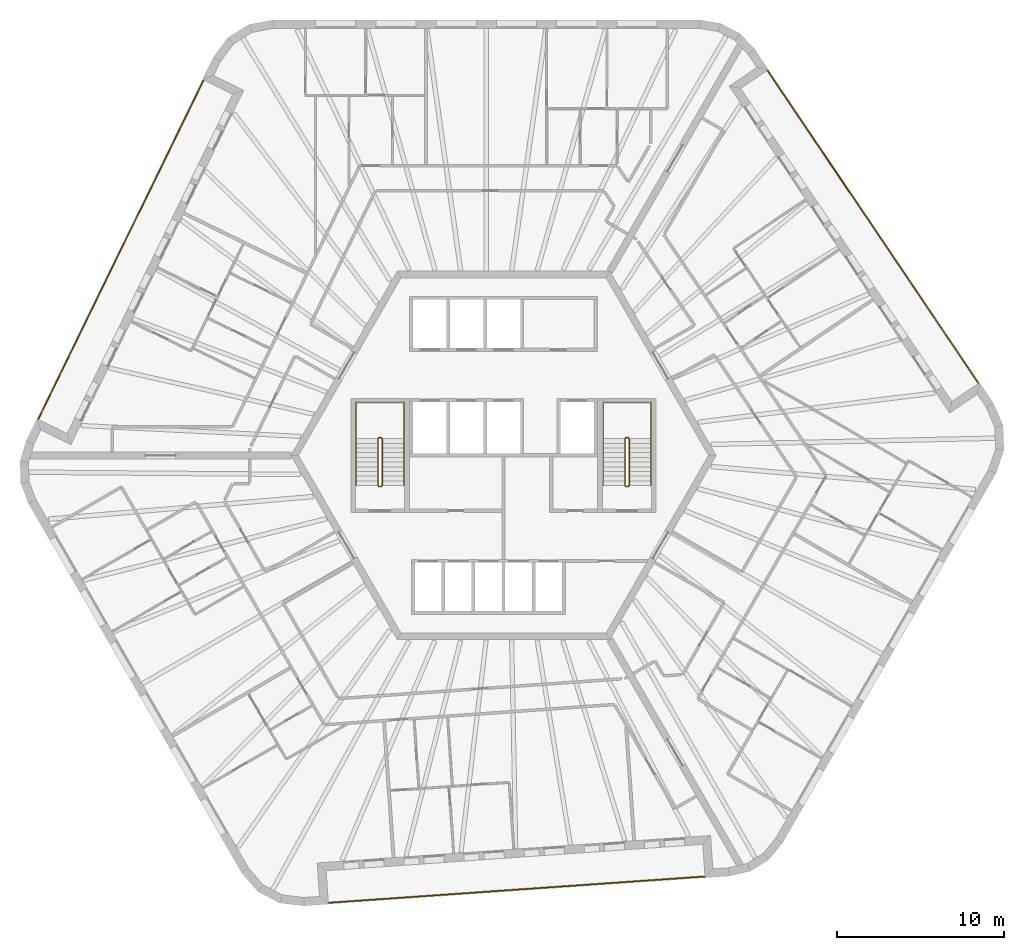
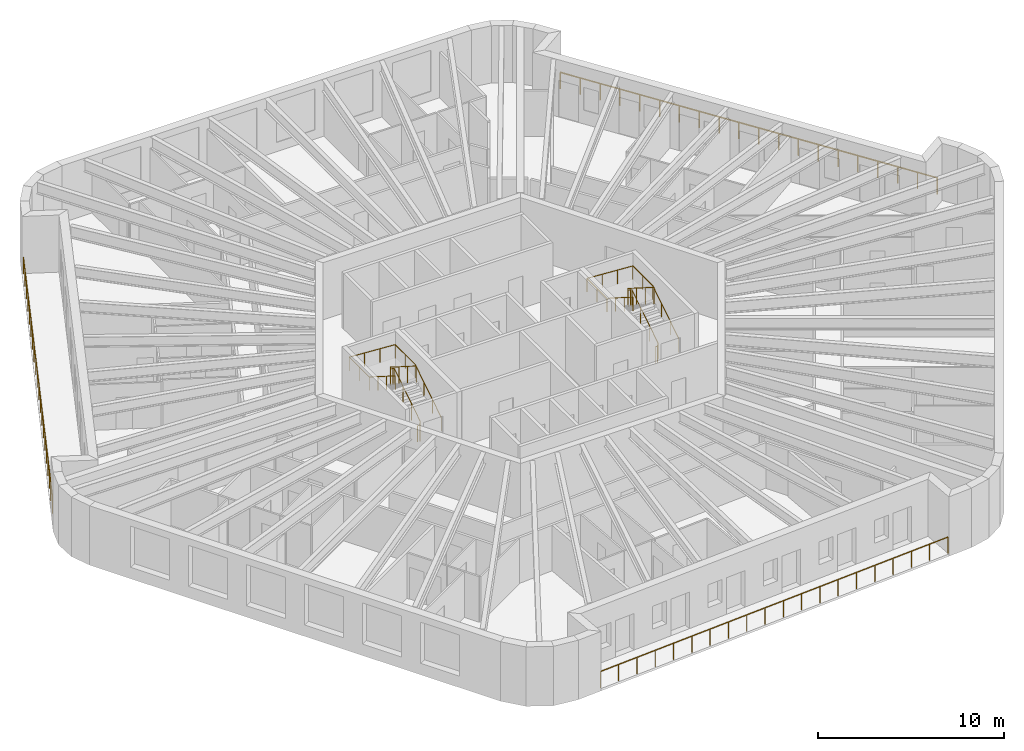
# One storey, part 12 of 12: 7 railings.
"""IFC4 building model written with IfcOpenShell, lengths in metres."""

from ifc_helpers import new_model, si_unit, direction, frame, origin, origin_2d, place, context, subcontext, project, spatial, circle, extrude, material, type_object, element, save


model = new_model("IFC4")

# Units and contexts
model_context = context("Model", 3, precision=1e-05, world=origin(), true_north=direction((0.0, 1.0)))
body_context = subcontext(model_context, "Body", "Model", "MODEL_VIEW")
ifc_project = project(units=[si_unit("LENGTHUNIT", "METRE"), si_unit("AREAUNIT", "SQUARE_METRE"), si_unit("VOLUMEUNIT", "CUBIC_METRE"), si_unit("PLANEANGLEUNIT", "RADIAN"), si_unit("MASSUNIT", "GRAM", prefix="KILO")], contexts=[model_context])

# Site, building, storey
site_placement = place(None, origin())
site = spatial("IfcSite", under=ifc_project, at=site_placement, CompositionType="ELEMENT")
building_placement = place(site_placement, origin())
building = spatial("IfcBuilding", under=site, at=building_placement, Name="Tarnside Tower", CompositionType="ELEMENT")
storey_placement = place(building_placement, frame((0.0, 0.0, 283.5)))
storey = spatial("IfcBuildingStorey", under=building, at=storey_placement, Name="L68", CompositionType="ELEMENT", Elevation=283.5)

# Railings
ifc_material_1 = material(Name="Toughened glass", Category="glass")
railing_type_1 = type_object("IfcRailingType", Name="Glass guard 1100", PredefinedType="GUARDRAIL", material=ifc_material_1)
railing_1_placement = place(storey_placement, frame((-17.906005859375, 22.415283203125, 0.0)))
element("IfcRailing", 1, at=railing_1_placement, inside=storey, type_object=railing_type_1, Name="Loggia guard L68 F2", PredefinedType="GUARDRAIL", context=body_context, shape_type="SweptSolid", body=[
    extrude(circle(Radius=0.030029296875, at=origin_2d()), frame((0.0, 0.0, 1.070068359375), z_axis=(-0.438372639335, -0.898793318335, 0.0), x_axis=(0.898793318335, -0.438372639335, 0.0)), (0.0, 0.0, 1.0), 22.544921875),
    extrude(circle(Radius=0.02490234375, at=origin_2d()), origin(), (0.0, 0.0, 1.0), 1.0400390625),
    extrude(circle(Radius=0.02490234375, at=origin_2d()), frame((-0.520263671875, -1.06640625, 0.0)), (0.0, 0.0, 1.0), 1.0400390625),
    extrude(circle(Radius=0.02490234375, at=origin_2d()), frame((-1.040283203125, -2.133056640625, 0.0)), (0.0, 0.0, 1.0), 1.0400390625),
    extrude(circle(Radius=0.02490234375, at=origin_2d()), frame((-1.560546875, -3.199462890625, 0.0)), (0.0, 0.0, 1.0), 1.0400390625),
    extrude(circle(Radius=0.02490234375, at=origin_2d()), frame((-2.08056640625, -4.265869140625, 0.0)), (0.0, 0.0, 1.0), 1.0400390625),
    extrude(circle(Radius=0.02490234375, at=origin_2d()), frame((-2.600830078125, -5.33251953125, 0.0)), (0.0, 0.0, 1.0), 1.0400390625),
    extrude(circle(Radius=0.02490234375, at=origin_2d()), frame((-3.120849609375, -6.39892578125, 0.0)), (0.0, 0.0, 1.0), 1.0400390625),
    extrude(circle(Radius=0.02490234375, at=origin_2d()), frame((-3.64111328125, -7.46533203125, 0.0)), (0.0, 0.0, 1.0), 1.0400390625),
    extrude(circle(Radius=0.02490234375, at=origin_2d()), frame((-4.161376953125, -8.531982421875, 0.0)), (0.0, 0.0, 1.0), 1.0400390625),
    extrude(circle(Radius=0.02490234375, at=origin_2d()), frame((-4.681396484375, -9.598388671875, 0.0)), (0.0, 0.0, 1.0), 1.0400390625),
    extrude(circle(Radius=0.02490234375, at=origin_2d()), frame((-5.20166015625, -10.664794921875, 0.0)), (0.0, 0.0, 1.0), 1.0400390625),
    extrude(circle(Radius=0.02490234375, at=origin_2d()), frame((-5.7216796875, -11.731201171875, 0.0)), (0.0, 0.0, 1.0), 1.0400390625),
    extrude(circle(Radius=0.02490234375, at=origin_2d()), frame((-6.241943359375, -12.7978515625, 0.0)), (0.0, 0.0, 1.0), 1.0400390625),
    extrude(circle(Radius=0.02490234375, at=origin_2d()), frame((-6.76220703125, -13.8642578125, 0.0)), (0.0, 0.0, 1.0), 1.0400390625),
    extrude(circle(Radius=0.02490234375, at=origin_2d()), frame((-7.2822265625, -14.9306640625, 0.0)), (0.0, 0.0, 1.0), 1.0400390625),
    extrude(circle(Radius=0.02490234375, at=origin_2d()), frame((-7.802490234375, -15.997314453125, 0.0)), (0.0, 0.0, 1.0), 1.0400390625),
    extrude(circle(Radius=0.02490234375, at=origin_2d()), frame((-8.322509765625, -17.063720703125, 0.0)), (0.0, 0.0, 1.0), 1.0400390625),
    extrude(circle(Radius=0.02490234375, at=origin_2d()), frame((-8.8427734375, -18.130126953125, 0.0)), (0.0, 0.0, 1.0), 1.0400390625),
    extrude(circle(Radius=0.02490234375, at=origin_2d()), frame((-9.36279296875, -19.19677734375, 0.0)), (0.0, 0.0, 1.0), 1.0400390625),
    extrude(circle(Radius=0.02490234375, at=origin_2d()), frame((-9.883056640625, -20.26318359375, 0.0)), (0.0, 0.0, 1.0), 1.0400390625),
])
railing_2_placement = place(storey_placement, frame((-10.458984375, -26.714599609375, 0.0)))
element("IfcRailing", 2, at=railing_2_placement, inside=storey, type_object=railing_type_1, Name="Loggia guard L68 F4", PredefinedType="GUARDRAIL", context=body_context, shape_type="SweptSolid", body=[
    extrude(circle(Radius=0.030029296875, at=origin_2d()), frame((0.0, 0.0, 1.070068359375), z_axis=(0.997564440639, 0.069750890837, 0.0), x_axis=(-0.069750890837, 0.997564440639, 0.0)), (0.0, 0.0, 1.0), 22.544677734375),
    extrude(circle(Radius=0.02490234375, at=origin_2d()), origin(), (0.0, 0.0, 1.0), 1.0400390625),
    extrude(circle(Radius=0.02490234375, at=origin_2d()), frame((1.18359375, 0.082763671875, 0.0)), (0.0, 0.0, 1.0), 1.0400390625),
    extrude(circle(Radius=0.02490234375, at=origin_2d()), frame((2.367431640625, 0.16552734375, 0.0)), (0.0, 0.0, 1.0), 1.0400390625),
    extrude(circle(Radius=0.02490234375, at=origin_2d()), frame((3.551025390625, 0.248291015625, 0.0)), (0.0, 0.0, 1.0), 1.0400390625),
    extrude(circle(Radius=0.02490234375, at=origin_2d()), frame((4.734619140625, 0.3310546875, 0.0)), (0.0, 0.0, 1.0), 1.0400390625),
    extrude(circle(Radius=0.02490234375, at=origin_2d()), frame((5.91845703125, 0.413818359375, 0.0)), (0.0, 0.0, 1.0), 1.0400390625),
    extrude(circle(Radius=0.02490234375, at=origin_2d()), frame((7.10205078125, 0.49658203125, 0.0)), (0.0, 0.0, 1.0), 1.0400390625),
    extrude(circle(Radius=0.02490234375, at=origin_2d()), frame((8.28564453125, 0.579345703125, 0.0)), (0.0, 0.0, 1.0), 1.0400390625),
    extrude(circle(Radius=0.02490234375, at=origin_2d()), frame((9.469482421875, 0.662109375, 0.0)), (0.0, 0.0, 1.0), 1.0400390625),
    extrude(circle(Radius=0.02490234375, at=origin_2d()), frame((10.653076171875, 0.744873046875, 0.0)), (0.0, 0.0, 1.0), 1.0400390625),
    extrude(circle(Radius=0.02490234375, at=origin_2d()), frame((11.836669921875, 0.82763671875, 0.0)), (0.0, 0.0, 1.0), 1.0400390625),
    extrude(circle(Radius=0.02490234375, at=origin_2d()), frame((13.020263671875, 0.910400390625, 0.0)), (0.0, 0.0, 1.0), 1.0400390625),
    extrude(circle(Radius=0.02490234375, at=origin_2d()), frame((14.2041015625, 0.9931640625, 0.0)), (0.0, 0.0, 1.0), 1.0400390625),
    extrude(circle(Radius=0.02490234375, at=origin_2d()), frame((15.3876953125, 1.075927734375, 0.0)), (0.0, 0.0, 1.0), 1.0400390625),
    extrude(circle(Radius=0.02490234375, at=origin_2d()), frame((16.5712890625, 1.15869140625, 0.0)), (0.0, 0.0, 1.0), 1.0400390625),
    extrude(circle(Radius=0.02490234375, at=origin_2d()), frame((17.755126953125, 1.241455078125, 0.0)), (0.0, 0.0, 1.0), 1.0400390625),
    extrude(circle(Radius=0.02490234375, at=origin_2d()), frame((18.938720703125, 1.32421875, 0.0)), (0.0, 0.0, 1.0), 1.0400390625),
    extrude(circle(Radius=0.02490234375, at=origin_2d()), frame((20.122314453125, 1.406982421875, 0.0)), (0.0, 0.0, 1.0), 1.0400390625),
    extrude(circle(Radius=0.02490234375, at=origin_2d()), frame((21.30615234375, 1.48974609375, 0.0)), (0.0, 0.0, 1.0), 1.0400390625),
    extrude(circle(Radius=0.02490234375, at=origin_2d()), frame((22.48974609375, 1.572509765625, 0.0)), (0.0, 0.0, 1.0), 1.0400390625),
])
railing_3_placement = place(storey_placement, frame((28.365234375, 4.299560546875, 0.0)))
element("IfcRailing", 3, at=railing_3_placement, inside=storey, type_object=railing_type_1, Name="Loggia guard L68 F6", PredefinedType="GUARDRAIL", context=body_context, shape_type="SweptSolid", body=[
    extrude(circle(Radius=0.030029296875, at=origin_2d()), frame((0.0, 0.0, 1.070068359375), z_axis=(-0.559195329741, 0.82903593601, 0.0), x_axis=(-0.82903593601, -0.559195329741, 0.0)), (0.0, 0.0, 1.0), 22.544677734375),
    extrude(circle(Radius=0.02490234375, at=origin_2d()), origin(), (0.0, 0.0, 1.0), 1.0400390625),
    extrude(circle(Radius=0.02490234375, at=origin_2d()), frame((-0.66357421875, 0.983642578125, 0.0)), (0.0, 0.0, 1.0), 1.0400390625),
    extrude(circle(Radius=0.02490234375, at=origin_2d()), frame((-1.3271484375, 1.967529296875, 0.0)), (0.0, 0.0, 1.0), 1.0400390625),
    extrude(circle(Radius=0.02490234375, at=origin_2d()), frame((-1.990478515625, 2.951171875, 0.0)), (0.0, 0.0, 1.0), 1.0400390625),
    extrude(circle(Radius=0.02490234375, at=origin_2d()), frame((-2.654052734375, 3.934814453125, 0.0)), (0.0, 0.0, 1.0), 1.0400390625),
    extrude(circle(Radius=0.02490234375, at=origin_2d()), frame((-3.317626953125, 4.91845703125, 0.0)), (0.0, 0.0, 1.0), 1.0400390625),
    extrude(circle(Radius=0.02490234375, at=origin_2d()), frame((-3.981201171875, 5.90234375, 0.0)), (0.0, 0.0, 1.0), 1.0400390625),
    extrude(circle(Radius=0.02490234375, at=origin_2d()), frame((-4.644775390625, 6.885986328125, 0.0)), (0.0, 0.0, 1.0), 1.0400390625),
    extrude(circle(Radius=0.02490234375, at=origin_2d()), frame((-5.30810546875, 7.86962890625, 0.0)), (0.0, 0.0, 1.0), 1.0400390625),
    extrude(circle(Radius=0.02490234375, at=origin_2d()), frame((-5.9716796875, 8.853271484375, 0.0)), (0.0, 0.0, 1.0), 1.0400390625),
    extrude(circle(Radius=0.02490234375, at=origin_2d()), frame((-6.63525390625, 9.837158203125, 0.0)), (0.0, 0.0, 1.0), 1.0400390625),
    extrude(circle(Radius=0.02490234375, at=origin_2d()), frame((-7.298828125, 10.82080078125, 0.0)), (0.0, 0.0, 1.0), 1.0400390625),
    extrude(circle(Radius=0.02490234375, at=origin_2d()), frame((-7.962158203125, 11.804443359375, 0.0)), (0.0, 0.0, 1.0), 1.0400390625),
    extrude(circle(Radius=0.02490234375, at=origin_2d()), frame((-8.625732421875, 12.7880859375, 0.0)), (0.0, 0.0, 1.0), 1.0400390625),
    extrude(circle(Radius=0.02490234375, at=origin_2d()), frame((-9.289306640625, 13.77197265625, 0.0)), (0.0, 0.0, 1.0), 1.0400390625),
    extrude(circle(Radius=0.02490234375, at=origin_2d()), frame((-9.952880859375, 14.755615234375, 0.0)), (0.0, 0.0, 1.0), 1.0400390625),
    extrude(circle(Radius=0.02490234375, at=origin_2d()), frame((-10.616455078125, 15.7392578125, 0.0)), (0.0, 0.0, 1.0), 1.0400390625),
    extrude(circle(Radius=0.02490234375, at=origin_2d()), frame((-11.27978515625, 16.722900390625, 0.0)), (0.0, 0.0, 1.0), 1.0400390625),
    extrude(circle(Radius=0.02490234375, at=origin_2d()), frame((-11.943359375, 17.706787109375, 0.0)), (0.0, 0.0, 1.0), 1.0400390625),
    extrude(circle(Radius=0.02490234375, at=origin_2d()), frame((-12.60693359375, 18.6904296875, 0.0)), (0.0, 0.0, 1.0), 1.0400390625),
])
ifc_material_2 = material(Name="Stainless steel", Category="steel")
railing_type_2 = type_object("IfcRailingType", Name="Stair guard 1100", PredefinedType="GUARDRAIL", material=ifc_material_2)
railing_4_placement = place(storey_placement, frame((7.300048828125, -1.85009765625, 0.0)))
element("IfcRailing", 4, at=railing_4_placement, inside=storey, type_object=railing_type_2, Name="L68 ST1 stair guard 1", PredefinedType="GUARDRAIL", context=body_context, shape_type="SweptSolid", body=[
    extrude(circle(Radius=0.02392578125, at=origin_2d()), frame((0.0, 0.0, 1.076171875), z_axis=(1.0, 0.0, 0.0), x_axis=(0.0, 1.0, 0.0)), (0.0, 0.0, 1.0), 0.14990234375),
    extrude(circle(Radius=0.02392578125, at=origin_2d()), frame((0.14990234375, 0.0, 1.076171875), z_axis=(0.262233686654, 0.262233686654, 0.928691007369), x_axis=(-0.707106781187, 0.707106781187, 0.0)), (0.0, 0.0, 1.0), 0.19091796875),
    extrude(circle(Radius=0.02392578125, at=origin_2d()), frame((0.199951171875, 0.050048828125, 1.25341796875), z_axis=(0.0, 0.844908973607, 0.534910110503), x_axis=(-1.0, 0.0, 0.0)), (0.0, 0.0, 1.0), 3.31396484375),
    extrude(circle(Radius=0.02392578125, at=origin_2d()), frame((0.199951171875, 2.85009765625, 3.02587890625), z_axis=(-0.707106781187, 0.707106781187, 0.0), x_axis=(-0.707106781187, -0.707106781187, 0.0)), (0.0, 0.0, 1.0), 0.07080078125),
    extrude(circle(Radius=0.02392578125, at=origin_2d()), frame((0.14990234375, 2.900146484375, 3.02587890625), z_axis=(-1.0, 0.0, 0.0), x_axis=(0.0, -1.0, 0.0)), (0.0, 0.0, 1.0), 0.14990234375),
    extrude(circle(Radius=0.02392578125, at=origin_2d()), frame((0.0, 2.900146484375, 3.02587890625), z_axis=(-0.262233686654, -0.262233686654, 0.928691007369), x_axis=(0.707106781187, -0.707106781187, 0.0)), (0.0, 0.0, 1.0), 0.19091796875),
    extrude(circle(Radius=0.02392578125, at=origin_2d()), frame((-0.050048828125, 2.85009765625, 3.203125), z_axis=(0.0, -0.844908973607, 0.534910110503), x_axis=(1.0, 0.0, 0.0)), (0.0, 0.0, 1.0), 3.31396484375),
    extrude(circle(Radius=0.02099609375, at=origin_2d()), origin(), (0.0, 0.0, 1.0), 1.052001953125),
    extrude(circle(Radius=0.02099609375, at=origin_2d()), frame((0.14990234375, 0.0, 0.0)), (0.0, 0.0, 1.0), 1.052001953125),
    extrude(circle(Radius=0.02099609375, at=origin_2d()), frame((0.199951171875, 0.050048828125, 0.17724609375)), (0.0, 0.0, 1.0), 1.052001953125),
    extrude(circle(Radius=0.02099609375, at=origin_2d()), frame((0.199951171875, 0.9833984375, 0.76806640625)), (0.0, 0.0, 1.0), 1.052001953125),
    extrude(circle(Radius=0.02099609375, at=origin_2d()), frame((0.199951171875, 1.916748046875, 1.359130859375)), (0.0, 0.0, 1.0), 1.052001953125),
    extrude(circle(Radius=0.02099609375, at=origin_2d()), frame((0.199951171875, 2.85009765625, 1.949951171875)), (0.0, 0.0, 1.0), 1.052001953125),
    extrude(circle(Radius=0.02099609375, at=origin_2d()), frame((0.14990234375, 2.900146484375, 1.949951171875)), (0.0, 0.0, 1.0), 1.052001953125),
    extrude(circle(Radius=0.02099609375, at=origin_2d()), frame((0.0, 2.900146484375, 1.949951171875)), (0.0, 0.0, 1.0), 1.052001953125),
    extrude(circle(Radius=0.02099609375, at=origin_2d()), frame((-0.050048828125, 2.85009765625, 2.127197265625)), (0.0, 0.0, 1.0), 1.052001953125),
    extrude(circle(Radius=0.02099609375, at=origin_2d()), frame((-0.050048828125, 1.916748046875, 2.718017578125)), (0.0, 0.0, 1.0), 1.052001953125),
    extrude(circle(Radius=0.02099609375, at=origin_2d()), frame((-0.050048828125, 0.9833984375, 3.30908203125)), (0.0, 0.0, 1.0), 1.052001953125),
    extrude(circle(Radius=0.02099609375, at=origin_2d()), frame((-0.050048828125, 0.050048828125, 3.89990234375)), (0.0, 0.0, 1.0), 1.052001953125),
])
railing_5_placement = place(storey_placement, frame((-7.449951171875, -1.85009765625, 0.0)))
element("IfcRailing", 5, at=railing_5_placement, inside=storey, type_object=railing_type_2, Name="L68 ST2 stair guard 1", PredefinedType="GUARDRAIL", context=body_context, shape_type="SweptSolid", body=[
    extrude(circle(Radius=0.02392578125, at=origin_2d()), frame((0.0, 0.0, 1.076171875), z_axis=(1.0, 0.0, 0.0), x_axis=(0.0, 1.0, 0.0)), (0.0, 0.0, 1.0), 0.14990234375),
    extrude(circle(Radius=0.02392578125, at=origin_2d()), frame((0.14990234375, 0.0, 1.076171875), z_axis=(0.262233686654, 0.262233686654, 0.928691007369), x_axis=(-0.707106781187, 0.707106781187, 0.0)), (0.0, 0.0, 1.0), 0.19091796875),
    extrude(circle(Radius=0.02392578125, at=origin_2d()), frame((0.199951171875, 0.050048828125, 1.25341796875), z_axis=(0.0, 0.844908973607, 0.534910110503), x_axis=(-1.0, 0.0, 0.0)), (0.0, 0.0, 1.0), 3.31396484375),
    extrude(circle(Radius=0.02392578125, at=origin_2d()), frame((0.199951171875, 2.85009765625, 3.02587890625), z_axis=(-0.707106781187, 0.707106781187, 0.0), x_axis=(-0.707106781187, -0.707106781187, 0.0)), (0.0, 0.0, 1.0), 0.07080078125),
    extrude(circle(Radius=0.02392578125, at=origin_2d()), frame((0.14990234375, 2.900146484375, 3.02587890625), z_axis=(-1.0, 0.0, 0.0), x_axis=(0.0, -1.0, 0.0)), (0.0, 0.0, 1.0), 0.14990234375),
    extrude(circle(Radius=0.02392578125, at=origin_2d()), frame((0.0, 2.900146484375, 3.02587890625), z_axis=(-0.262233686654, -0.262233686654, 0.928691007369), x_axis=(0.707106781187, -0.707106781187, 0.0)), (0.0, 0.0, 1.0), 0.19091796875),
    extrude(circle(Radius=0.02392578125, at=origin_2d()), frame((-0.050048828125, 2.85009765625, 3.203125), z_axis=(0.0, -0.844908973607, 0.534910110503), x_axis=(1.0, 0.0, 0.0)), (0.0, 0.0, 1.0), 3.31396484375),
    extrude(circle(Radius=0.02099609375, at=origin_2d()), origin(), (0.0, 0.0, 1.0), 1.052001953125),
    extrude(circle(Radius=0.02099609375, at=origin_2d()), frame((0.14990234375, 0.0, 0.0)), (0.0, 0.0, 1.0), 1.052001953125),
    extrude(circle(Radius=0.02099609375, at=origin_2d()), frame((0.199951171875, 0.050048828125, 0.17724609375)), (0.0, 0.0, 1.0), 1.052001953125),
    extrude(circle(Radius=0.02099609375, at=origin_2d()), frame((0.199951171875, 0.9833984375, 0.76806640625)), (0.0, 0.0, 1.0), 1.052001953125),
    extrude(circle(Radius=0.02099609375, at=origin_2d()), frame((0.199951171875, 1.916748046875, 1.359130859375)), (0.0, 0.0, 1.0), 1.052001953125),
    extrude(circle(Radius=0.02099609375, at=origin_2d()), frame((0.199951171875, 2.85009765625, 1.949951171875)), (0.0, 0.0, 1.0), 1.052001953125),
    extrude(circle(Radius=0.02099609375, at=origin_2d()), frame((0.14990234375, 2.900146484375, 1.949951171875)), (0.0, 0.0, 1.0), 1.052001953125),
    extrude(circle(Radius=0.02099609375, at=origin_2d()), frame((0.0, 2.900146484375, 1.949951171875)), (0.0, 0.0, 1.0), 1.052001953125),
    extrude(circle(Radius=0.02099609375, at=origin_2d()), frame((-0.050048828125, 2.85009765625, 2.127197265625)), (0.0, 0.0, 1.0), 1.052001953125),
    extrude(circle(Radius=0.02099609375, at=origin_2d()), frame((-0.050048828125, 1.916748046875, 2.718017578125)), (0.0, 0.0, 1.0), 1.052001953125),
    extrude(circle(Radius=0.02099609375, at=origin_2d()), frame((-0.050048828125, 0.9833984375, 3.30908203125)), (0.0, 0.0, 1.0), 1.052001953125),
    extrude(circle(Radius=0.02099609375, at=origin_2d()), frame((-0.050048828125, 0.050048828125, 3.89990234375)), (0.0, 0.0, 1.0), 1.052001953125),
])
railing_type_3 = type_object("IfcRailingType", Name="Stair handrail 900", PredefinedType="HANDRAIL", material=ifc_material_2)
railing_6_placement = place(storey_placement, frame((8.800048828125, -1.800048828125, 0.17724609375)))
element("IfcRailing", 6, at=railing_6_placement, inside=storey, type_object=railing_type_3, Name="L68 ST1 stair handrail 1", PredefinedType="HANDRAIL", context=body_context, shape_type="SweptSolid", body=[
    extrude(circle(Radius=0.02392578125, at=origin_2d()), frame((0.0, 0.0, 0.8857421875), z_axis=(0.0, 0.844908973607, 0.534910110503), x_axis=(-1.0, 0.0, 0.0)), (0.0, 0.0, 1.0), 3.31396484375),
    extrude(circle(Radius=0.02392578125, at=origin_2d()), frame((0.0, 2.800048828125, 2.65869140625), z_axis=(0.0, 1.0, 0.0), x_axis=(-1.0, 0.0, 0.0)), (0.0, 0.0, 1.0), 2.14990234375),
    extrude(circle(Radius=0.02392578125, at=origin_2d()), frame((0.0, 4.949951171875, 2.65869140625), z_axis=(-0.998071825391, 0.0, 0.06206956872), x_axis=(0.0, -1.0, 0.0)), (0.0, 0.0, 1.0), 2.855712890625),
    extrude(circle(Radius=0.02392578125, at=origin_2d()), frame((-2.85009765625, 4.949951171875, 2.8359375), z_axis=(0.0, -1.0, 0.0), x_axis=(1.0, 0.0, 0.0)), (0.0, 0.0, 1.0), 2.14990234375),
    extrude(circle(Radius=0.02392578125, at=origin_2d()), frame((-2.85009765625, 2.800048828125, 2.8359375), z_axis=(0.0, -0.844908973607, 0.534910110503), x_axis=(1.0, 0.0, 0.0)), (0.0, 0.0, 1.0), 3.31396484375),
    extrude(circle(Radius=0.02099609375, at=origin_2d()), origin(), (0.0, 0.0, 1.0), 0.86181640625),
    extrude(circle(Radius=0.02099609375, at=origin_2d()), frame((0.0, 0.933349609375, 0.5908203125)), (0.0, 0.0, 1.0), 0.86181640625),
    extrude(circle(Radius=0.02099609375, at=origin_2d()), frame((0.0, 1.86669921875, 1.181884765625)), (0.0, 0.0, 1.0), 0.86181640625),
    extrude(circle(Radius=0.02099609375, at=origin_2d()), frame((0.0, 2.800048828125, 1.772705078125)), (0.0, 0.0, 1.0), 0.86181640625),
    extrude(circle(Radius=0.02099609375, at=origin_2d()), frame((0.0, 3.875, 1.772705078125)), (0.0, 0.0, 1.0), 0.86181640625),
    extrude(circle(Radius=0.02099609375, at=origin_2d()), frame((0.0, 4.949951171875, 1.772705078125)), (0.0, 0.0, 1.0), 0.86181640625),
    extrude(circle(Radius=0.02099609375, at=origin_2d()), frame((-0.949951171875, 4.949951171875, 1.831787109375)), (0.0, 0.0, 1.0), 0.86181640625),
    extrude(circle(Radius=0.02099609375, at=origin_2d()), frame((-1.900146484375, 4.949951171875, 1.890869140625)), (0.0, 0.0, 1.0), 0.86181640625),
    extrude(circle(Radius=0.02099609375, at=origin_2d()), frame((-2.85009765625, 4.949951171875, 1.949951171875)), (0.0, 0.0, 1.0), 0.86181640625),
    extrude(circle(Radius=0.02099609375, at=origin_2d()), frame((-2.85009765625, 3.875, 1.949951171875)), (0.0, 0.0, 1.0), 0.86181640625),
    extrude(circle(Radius=0.02099609375, at=origin_2d()), frame((-2.85009765625, 2.800048828125, 1.949951171875)), (0.0, 0.0, 1.0), 0.86181640625),
    extrude(circle(Radius=0.02099609375, at=origin_2d()), frame((-2.85009765625, 1.86669921875, 2.540771484375)), (0.0, 0.0, 1.0), 0.86181640625),
    extrude(circle(Radius=0.02099609375, at=origin_2d()), frame((-2.85009765625, 0.933349609375, 3.1318359375)), (0.0, 0.0, 1.0), 0.86181640625),
    extrude(circle(Radius=0.02099609375, at=origin_2d()), frame((-2.85009765625, 0.0, 3.72265625)), (0.0, 0.0, 1.0), 0.86181640625),
])
railing_7_placement = place(storey_placement, frame((-5.949951171875, -1.800048828125, 0.17724609375)))
element("IfcRailing", 7, at=railing_7_placement, inside=storey, type_object=railing_type_3, Name="L68 ST2 stair handrail 1", PredefinedType="HANDRAIL", context=body_context, shape_type="SweptSolid", body=[
    extrude(circle(Radius=0.02392578125, at=origin_2d()), frame((0.0, 0.0, 0.8857421875), z_axis=(0.0, 0.844908973607, 0.534910110503), x_axis=(-1.0, 0.0, 0.0)), (0.0, 0.0, 1.0), 3.31396484375),
    extrude(circle(Radius=0.02392578125, at=origin_2d()), frame((0.0, 2.800048828125, 2.65869140625), z_axis=(0.0, 1.0, 0.0), x_axis=(-1.0, 0.0, 0.0)), (0.0, 0.0, 1.0), 2.14990234375),
    extrude(circle(Radius=0.02392578125, at=origin_2d()), frame((0.0, 4.949951171875, 2.65869140625), z_axis=(-0.998071825391, 0.0, 0.06206956872), x_axis=(0.0, -1.0, 0.0)), (0.0, 0.0, 1.0), 2.855712890625),
    extrude(circle(Radius=0.02392578125, at=origin_2d()), frame((-2.85009765625, 4.949951171875, 2.8359375), z_axis=(0.0, -1.0, 0.0), x_axis=(1.0, 0.0, 0.0)), (0.0, 0.0, 1.0), 2.14990234375),
    extrude(circle(Radius=0.02392578125, at=origin_2d()), frame((-2.85009765625, 2.800048828125, 2.8359375), z_axis=(0.0, -0.844908973607, 0.534910110503), x_axis=(1.0, 0.0, 0.0)), (0.0, 0.0, 1.0), 3.31396484375),
    extrude(circle(Radius=0.02099609375, at=origin_2d()), origin(), (0.0, 0.0, 1.0), 0.86181640625),
    extrude(circle(Radius=0.02099609375, at=origin_2d()), frame((0.0, 0.933349609375, 0.5908203125)), (0.0, 0.0, 1.0), 0.86181640625),
    extrude(circle(Radius=0.02099609375, at=origin_2d()), frame((0.0, 1.86669921875, 1.181884765625)), (0.0, 0.0, 1.0), 0.86181640625),
    extrude(circle(Radius=0.02099609375, at=origin_2d()), frame((0.0, 2.800048828125, 1.772705078125)), (0.0, 0.0, 1.0), 0.86181640625),
    extrude(circle(Radius=0.02099609375, at=origin_2d()), frame((0.0, 3.875, 1.772705078125)), (0.0, 0.0, 1.0), 0.86181640625),
    extrude(circle(Radius=0.02099609375, at=origin_2d()), frame((0.0, 4.949951171875, 1.772705078125)), (0.0, 0.0, 1.0), 0.86181640625),
    extrude(circle(Radius=0.02099609375, at=origin_2d()), frame((-0.949951171875, 4.949951171875, 1.831787109375)), (0.0, 0.0, 1.0), 0.86181640625),
    extrude(circle(Radius=0.02099609375, at=origin_2d()), frame((-1.900146484375, 4.949951171875, 1.890869140625)), (0.0, 0.0, 1.0), 0.86181640625),
    extrude(circle(Radius=0.02099609375, at=origin_2d()), frame((-2.85009765625, 4.949951171875, 1.949951171875)), (0.0, 0.0, 1.0), 0.86181640625),
    extrude(circle(Radius=0.02099609375, at=origin_2d()), frame((-2.85009765625, 3.875, 1.949951171875)), (0.0, 0.0, 1.0), 0.86181640625),
    extrude(circle(Radius=0.02099609375, at=origin_2d()), frame((-2.85009765625, 2.800048828125, 1.949951171875)), (0.0, 0.0, 1.0), 0.86181640625),
    extrude(circle(Radius=0.02099609375, at=origin_2d()), frame((-2.85009765625, 1.86669921875, 2.540771484375)), (0.0, 0.0, 1.0), 0.86181640625),
    extrude(circle(Radius=0.02099609375, at=origin_2d()), frame((-2.85009765625, 0.933349609375, 3.1318359375)), (0.0, 0.0, 1.0), 0.86181640625),
    extrude(circle(Radius=0.02099609375, at=origin_2d()), frame((-2.85009765625, 0.0, 3.72265625)), (0.0, 0.0, 1.0), 0.86181640625),
])

save(model, "model.ifc")
